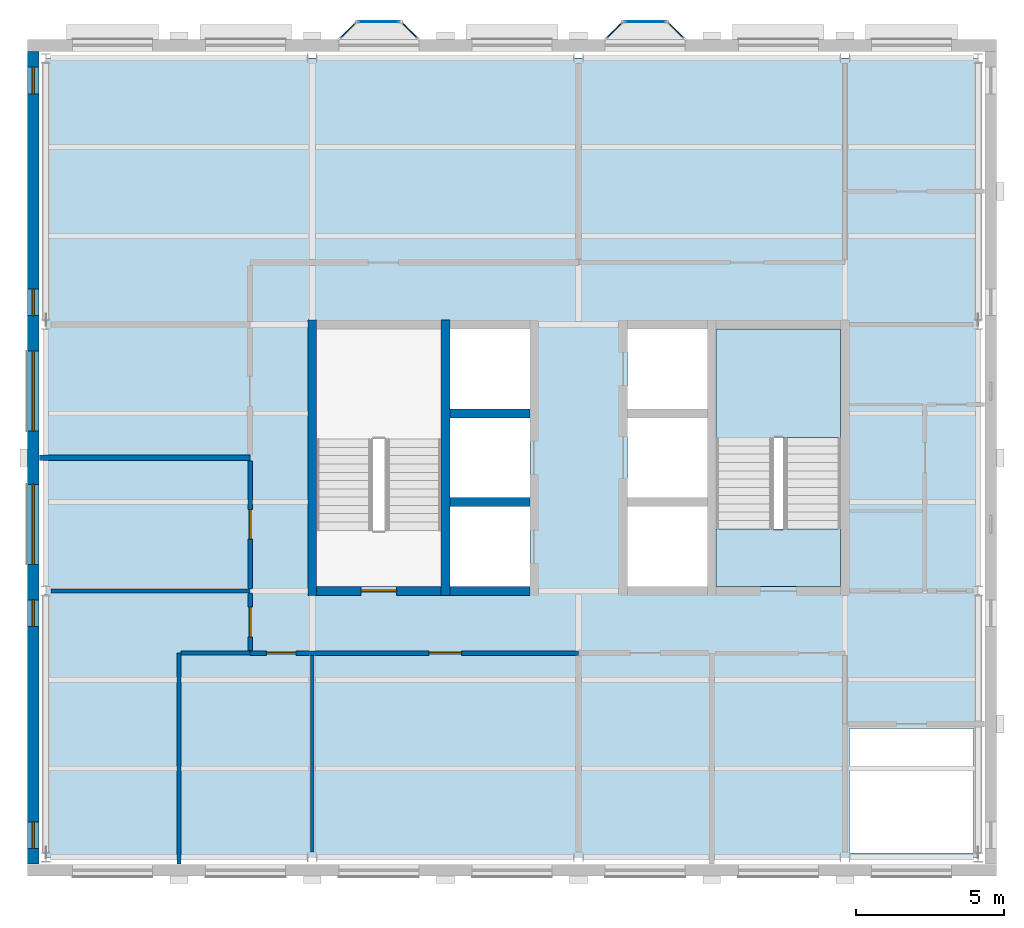
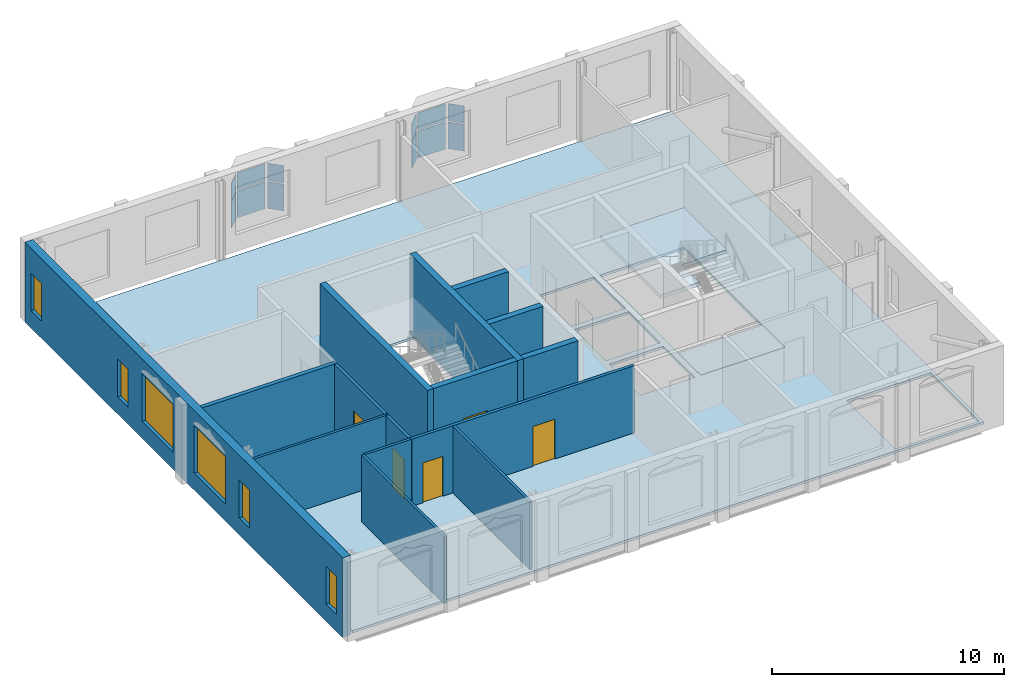
# One storey, part 3 of 9: 15 walls, 12 plates, 6 windows, 5 doors, 3 slabs, 11 openings, 7 elements without a shape of their own.
"""IFC4 building model written with IfcOpenShell, lengths in metres."""

from ifc_helpers import new_model, si_unit, direction, frame, frame_2d, origin, origin_2d, place, context, subcontext, project, spatial, polyline, rectangle, outline, extrude, material, layer, layer_set, type_object, element, fill, aggregate, save


model = new_model("IFC4")

# Units and contexts
model_context = context("Model", 3, precision=1e-05, world=origin(), true_north=direction((0.0, 1.0)))
body_context = subcontext(model_context, "Body", "Model", "MODEL_VIEW")
ifc_project = project(units=[si_unit("LENGTHUNIT", "METRE"), si_unit("AREAUNIT", "SQUARE_METRE"), si_unit("VOLUMEUNIT", "CUBIC_METRE"), si_unit("PLANEANGLEUNIT", "RADIAN"), si_unit("MASSUNIT", "GRAM", prefix="KILO")], contexts=[model_context])

# Site, building, storey
site_placement = place(None, origin())
site = spatial("IfcSite", under=ifc_project, at=site_placement, CompositionType="ELEMENT")
building_placement = place(site_placement, origin())
building = spatial("IfcBuilding", under=site, at=building_placement, Name="Hortulan Conservatory and Botanical Research Centre", CompositionType="ELEMENT")
storey_placement = place(building_placement, frame((0.0, 0.0, 44.39990234375)))
storey = spatial("IfcBuildingStorey", under=building, at=storey_placement, Name="L10", CompositionType="ELEMENT", Elevation=44.39990234375)

# Slab
ifc_material_1 = material(Name="Concrete N32 (32 MPa, AS 3600)", Category="concrete")
ifc_layer_1 = layer(ifc_material_1, 0.1298828125)
ifc_layer_set_1 = layer_set([ifc_layer_1], Name="Composite Floor Slab 130")
slab_type_1 = type_object("IfcSlabType", Name="Composite Floor Slab 130", PredefinedType="FLOOR", material=ifc_layer_set_1)
slab_1_placement = place(storey_placement, frame((0.0, 0.0, -0.1298828125)))
element("IfcSlab", 1, at=slab_1_placement, inside=storey, type_object=slab_type_1, Name="Floor slab", PredefinedType="FLOOR", context=body_context, shape_type="SweptSolid", body=[
    extrude(outline(polyline([(0.0, 0.0), (31.5, 0.0), (31.5, 27.0), (0.0, 27.0), (0.0, 0.0)]), holes=[polyline([(27.14990234375, 4.35009765625), (27.14990234375, 0.14990234375), (31.35009765625, 0.14990234375), (31.35009765625, 4.35009765625), (27.14990234375, 4.35009765625)]), polyline([(13.64990234375, 11.85009765625), (13.64990234375, 9.14990234375), (16.35009765625, 9.14990234375), (16.35009765625, 11.85009765625), (13.64990234375, 11.85009765625)]), polyline([(19.64990234375, 11.85009765625), (19.64990234375, 9.14990234375), (22.35009765625, 9.14990234375), (22.35009765625, 11.85009765625), (19.64990234375, 11.85009765625)]), polyline([(9.14990234375, 17.85009765625), (9.14990234375, 9.14990234375), (13.35009765625, 9.14990234375), (13.35009765625, 17.85009765625), (9.14990234375, 17.85009765625)]), polyline([(13.64990234375, 14.85009765625), (13.64990234375, 12.14990234375), (16.35009765625, 12.14990234375), (16.35009765625, 14.85009765625), (13.64990234375, 14.85009765625)]), polyline([(19.64990234375, 14.85009765625), (19.64990234375, 12.14990234375), (22.35009765625, 12.14990234375), (22.35009765625, 14.85009765625), (19.64990234375, 14.85009765625)]), polyline([(22.64990234375, 17.85009765625), (22.64990234375, 9.14990234375), (26.85009765625, 9.14990234375), (26.85009765625, 17.85009765625), (22.64990234375, 17.85009765625)]), polyline([(16.35009765625, 17.85009765625), (13.64990234375, 17.85009765625), (13.64990234375, 15.14990234375), (16.35009765625, 15.14990234375), (16.35009765625, 17.85009765625)]), polyline([(22.35009765625, 17.85009765625), (19.64990234375, 17.85009765625), (19.64990234375, 15.14990234375), (22.35009765625, 15.14990234375), (22.35009765625, 17.85009765625)])]), origin(), (0.0, 0.0, 1.0), 0.1298828125),
])

# Curtain wall, plates
ifc_material_2 = material(Name="Bronze-finished aluminium", Category="aluminium")
ifc_layer_2 = layer(ifc_material_2, 0.10009765625)
ifc_layer_set_2 = layer_set([ifc_layer_2], Name="Oriel Curtain Wall 1350 module")
curtain_wall_type = type_object("IfcCurtainWallType", Name="Oriel Curtain Wall 1350 module", PredefinedType="NOTDEFINED", material=ifc_layer_set_2)
curtain_wall_1_placement = place(storey_placement, origin())
curtain_wall_1 = element("IfcCurtainWall", 2, at=curtain_wall_1_placement, inside=storey, type_object=curtain_wall_type, Name="Oriel glazing", PredefinedType="NOTDEFINED")
ifc_material_3 = material(Name="Low-e laminated glass", Category="glass")
ifc_layer_3 = layer(ifc_material_3, 0.028076171875)
ifc_layer_set_3 = layer_set([ifc_layer_3], Name="Laminated Glass Panel 28")
plate_type = type_object("IfcPlateType", Name="Laminated Glass Panel 28", PredefinedType="CURTAIN_PANEL", material=ifc_layer_set_3)
plate_1_placement = place(storey_placement, frame((10.199951171875, 27.93603515625, 0.9599609375), z_axis=(0.0, 0.0, 1.0), x_axis=(0.707106781187, 0.707106781187, 0.0)))
plate_1 = element("IfcPlate", 3, at=plate_1_placement, type_object=plate_type, Name="CW2 panel 1.1", PredefinedType="CURTAIN_PANEL", context=body_context, shape_type="SweptSolid", body=[
    extrude(rectangle(XDim=0.728515625, YDim=0.028076171875, at=origin_2d()), origin(), (0.0, 0.0, 1.0), 1.409912109375),
])
plate_2_placement = place(storey_placement, frame((10.199951171875, 27.93603515625, 2.43017578125), z_axis=(0.0, 0.0, 1.0), x_axis=(0.707106781187, 0.707106781187, 0.0)))
plate_2 = element("IfcPlate", 4, at=plate_2_placement, type_object=plate_type, Name="CW2 panel 1.2", PredefinedType="CURTAIN_PANEL", context=body_context, shape_type="SweptSolid", body=[
    extrude(rectangle(XDim=0.728515625, YDim=0.028076171875, at=origin_2d()), origin(), (0.0, 0.0, 1.0), 0.909912109375),
])
aggregate(curtain_wall_1, [plate_1, plate_2])

curtain_wall_2_placement = place(storey_placement, origin())
curtain_wall_2 = element("IfcCurtainWall", 5, at=curtain_wall_2_placement, inside=storey, type_object=curtain_wall_type, Name="Oriel glazing", PredefinedType="NOTDEFINED")
plate_3_placement = place(storey_placement, frame((11.25, 28.236083984375, 0.9599609375), z_axis=(0.0, 0.0, 1.0), x_axis=(1.0, 0.0, 0.0)))
plate_3 = element("IfcPlate", 6, at=plate_3_placement, type_object=plate_type, Name="CW2 panel 1.1", PredefinedType="CURTAIN_PANEL", context=body_context, shape_type="SweptSolid", body=[
    extrude(rectangle(XDim=1.3798828125, YDim=0.028076171875, at=origin_2d()), origin(), (0.0, 0.0, 1.0), 1.409912109375),
])
plate_4_placement = place(storey_placement, frame((11.25, 28.236083984375, 2.43017578125), z_axis=(0.0, 0.0, 1.0), x_axis=(1.0, 0.0, 0.0)))
plate_4 = element("IfcPlate", 7, at=plate_4_placement, type_object=plate_type, Name="CW2 panel 1.2", PredefinedType="CURTAIN_PANEL", context=body_context, shape_type="SweptSolid", body=[
    extrude(rectangle(XDim=1.3798828125, YDim=0.028076171875, at=origin_2d()), origin(), (0.0, 0.0, 1.0), 0.909912109375),
])
aggregate(curtain_wall_2, [plate_3, plate_4])

curtain_wall_3_placement = place(storey_placement, origin())
curtain_wall_3 = element("IfcCurtainWall", 8, at=curtain_wall_3_placement, inside=storey, type_object=curtain_wall_type, Name="Oriel glazing", PredefinedType="NOTDEFINED")
plate_5_placement = place(storey_placement, frame((12.300048828125, 27.93603515625, 0.9599609375), z_axis=(0.0, 0.0, 1.0), x_axis=(0.707106781187, -0.707106781187, 0.0)))
plate_5 = element("IfcPlate", 9, at=plate_5_placement, type_object=plate_type, Name="CW2 panel 1.1", PredefinedType="CURTAIN_PANEL", context=body_context, shape_type="SweptSolid", body=[
    extrude(rectangle(XDim=0.728515625, YDim=0.028076171875, at=origin_2d()), origin(), (0.0, 0.0, 1.0), 1.409912109375),
])
plate_6_placement = place(storey_placement, frame((12.300048828125, 27.93603515625, 2.43017578125), z_axis=(0.0, 0.0, 1.0), x_axis=(0.707106781187, -0.707106781187, 0.0)))
plate_6 = element("IfcPlate", 10, at=plate_6_placement, type_object=plate_type, Name="CW2 panel 1.2", PredefinedType="CURTAIN_PANEL", context=body_context, shape_type="SweptSolid", body=[
    extrude(rectangle(XDim=0.728515625, YDim=0.028076171875, at=origin_2d()), origin(), (0.0, 0.0, 1.0), 0.909912109375),
])
aggregate(curtain_wall_3, [plate_5, plate_6])

curtain_wall_4_placement = place(storey_placement, origin())
curtain_wall_4 = element("IfcCurtainWall", 11, at=curtain_wall_4_placement, inside=storey, type_object=curtain_wall_type, Name="Oriel glazing", PredefinedType="NOTDEFINED")
plate_7_placement = place(storey_placement, frame((19.199951171875, 27.93603515625, 0.9599609375), z_axis=(0.0, 0.0, 1.0), x_axis=(0.707106781187, 0.707106781187, 0.0)))
plate_7 = element("IfcPlate", 12, at=plate_7_placement, type_object=plate_type, Name="CW2 panel 1.1", PredefinedType="CURTAIN_PANEL", context=body_context, shape_type="SweptSolid", body=[
    extrude(rectangle(XDim=0.728515625, YDim=0.028076171875, at=origin_2d()), origin(), (0.0, 0.0, 1.0), 1.409912109375),
])
plate_8_placement = place(storey_placement, frame((19.199951171875, 27.93603515625, 2.43017578125), z_axis=(0.0, 0.0, 1.0), x_axis=(0.707106781187, 0.707106781187, 0.0)))
plate_8 = element("IfcPlate", 13, at=plate_8_placement, type_object=plate_type, Name="CW2 panel 1.2", PredefinedType="CURTAIN_PANEL", context=body_context, shape_type="SweptSolid", body=[
    extrude(rectangle(XDim=0.728515625, YDim=0.028076171875, at=origin_2d()), origin(), (0.0, 0.0, 1.0), 0.909912109375),
])
aggregate(curtain_wall_4, [plate_7, plate_8])

curtain_wall_5_placement = place(storey_placement, origin())
curtain_wall_5 = element("IfcCurtainWall", 14, at=curtain_wall_5_placement, inside=storey, type_object=curtain_wall_type, Name="Oriel glazing", PredefinedType="NOTDEFINED")
plate_9_placement = place(storey_placement, frame((20.25, 28.236083984375, 0.9599609375), z_axis=(0.0, 0.0, 1.0), x_axis=(1.0, 0.0, 0.0)))
plate_9 = element("IfcPlate", 15, at=plate_9_placement, type_object=plate_type, Name="CW2 panel 1.1", PredefinedType="CURTAIN_PANEL", context=body_context, shape_type="SweptSolid", body=[
    extrude(rectangle(XDim=1.3798828125, YDim=0.028076171875, at=origin_2d()), origin(), (0.0, 0.0, 1.0), 1.409912109375),
])
plate_10_placement = place(storey_placement, frame((20.25, 28.236083984375, 2.43017578125), z_axis=(0.0, 0.0, 1.0), x_axis=(1.0, 0.0, 0.0)))
plate_10 = element("IfcPlate", 16, at=plate_10_placement, type_object=plate_type, Name="CW2 panel 1.2", PredefinedType="CURTAIN_PANEL", context=body_context, shape_type="SweptSolid", body=[
    extrude(rectangle(XDim=1.3798828125, YDim=0.028076171875, at=origin_2d()), origin(), (0.0, 0.0, 1.0), 0.909912109375),
])
aggregate(curtain_wall_5, [plate_9, plate_10])

curtain_wall_6_placement = place(storey_placement, origin())
curtain_wall_6 = element("IfcCurtainWall", 17, at=curtain_wall_6_placement, inside=storey, type_object=curtain_wall_type, Name="Oriel glazing", PredefinedType="NOTDEFINED")
plate_11_placement = place(storey_placement, frame((21.300048828125, 27.93603515625, 0.9599609375), z_axis=(0.0, 0.0, 1.0), x_axis=(0.707106781187, -0.707106781187, 0.0)))
plate_11 = element("IfcPlate", 18, at=plate_11_placement, type_object=plate_type, Name="CW2 panel 1.1", PredefinedType="CURTAIN_PANEL", context=body_context, shape_type="SweptSolid", body=[
    extrude(rectangle(XDim=0.728515625, YDim=0.028076171875, at=origin_2d()), origin(), (0.0, 0.0, 1.0), 1.409912109375),
])
plate_12_placement = place(storey_placement, frame((21.300048828125, 27.93603515625, 2.43017578125), z_axis=(0.0, 0.0, 1.0), x_axis=(0.707106781187, -0.707106781187, 0.0)))
plate_12 = element("IfcPlate", 19, at=plate_12_placement, type_object=plate_type, Name="CW2 panel 1.2", PredefinedType="CURTAIN_PANEL", context=body_context, shape_type="SweptSolid", body=[
    extrude(rectangle(XDim=0.728515625, YDim=0.028076171875, at=origin_2d()), origin(), (0.0, 0.0, 1.0), 0.909912109375),
])
aggregate(curtain_wall_6, [plate_11, plate_12])

# Stair, slab
ifc_material_4 = material(Name="Concrete N40 (40 MPa, AS 3600)", Category="concrete")
stair_type = type_object("IfcStairType", Name="Concrete Escape Stair 1950", PredefinedType="HALF_TURN_STAIR", material=ifc_material_4)
stair_placement = place(storey_placement, origin())
stair = element("IfcStair", 20, at=stair_placement, inside=storey, type_object=stair_type, Name="Stair T2 L10", PredefinedType="HALF_TURN_STAIR")
ifc_layer_4 = layer(ifc_material_4, 0.199951171875)
ifc_layer_set_4 = layer_set([ifc_layer_4], Name="Stair Landing 200")
slab_type_2 = type_object("IfcSlabType", Name="Stair Landing 200", PredefinedType="LANDING", material=ifc_layer_set_4)
slab_2_placement = place(storey_placement, frame((0.0, 0.0, 1.900146484375)))
slab_2 = element("IfcSlab", 21, at=slab_2_placement, type_object=slab_type_2, Name="Stair T2 L10 half landing 1", PredefinedType="LANDING", context=body_context, shape_type="SweptSolid", body=[
    extrude(outline(polyline([(26.85009765625, 14.179443359375), (24.60009765625, 14.179443359375), (24.60009765625, 12.639892578125), (22.64990234375, 12.639892578125), (22.64990234375, 14.179443359375), (22.64990234375, 14.179931640625), (22.64990234375, 14.18994140625), (22.64990234375, 17.85009765625), (26.85009765625, 17.85009765625), (26.85009765625, 14.18994140625), (26.85009765625, 14.179931640625), (26.85009765625, 14.179443359375)])), origin(), (0.0, 0.0, 1.0), 0.199951171875),
])
aggregate(stair, [slab_2])

# Slab
slab_3_placement = place(storey_placement, frame((0.0, 0.0, -0.199951171875)))
element("IfcSlab", 22, at=slab_3_placement, inside=storey, type_object=slab_type_2, Name="Stair T2 floor landing L10", PredefinedType="LANDING", context=body_context, shape_type="SweptSolid", body=[
    extrude(outline(polyline([(26.85009765625, 9.14990234375), (22.64990234375, 9.14990234375), (22.64990234375, 11.10009765625), (26.85009765625, 11.10009765625), (26.85009765625, 9.14990234375)])), origin(), (0.0, 0.0, 1.0), 0.199951171875),
])

# Walls
ifc_material_5 = material(Name="Fire-rated plasterboard on steel studs", Category="steel")
ifc_layer_5 = layer(ifc_material_5, 0.199951171875)
ifc_layer_set_5 = layer_set([ifc_layer_5], Name="Compartment Partition 200")
wall_type_1 = type_object("IfcWallType", Name="Compartment Partition 200", PredefinedType="PARTITIONING", material=ifc_layer_set_5)
wall_1_placement = place(storey_placement, frame((-0.215087890625, 13.5, 0.0), z_axis=(0.0, 0.0, 1.0), x_axis=(1.0, 0.0, 0.0)))
element("IfcWall", 23, at=wall_1_placement, inside=storey, type_object=wall_type_1, Name="Store wall", PredefinedType="PARTITIONING", context=body_context, shape_type="SweptSolid", body=[
    extrude(rectangle(XDim=7.114990234375, YDim=0.199951171875, at=frame_2d((3.5576171875, 0.0))), origin(), (0.0, 0.0, 1.0), 3.5419921875),
])
ifc_layer_6 = layer(ifc_material_4, 0.300048828125)
ifc_layer_set_6 = layer_set([ifc_layer_6], Name="Core Wall 300 N40 FRL 240/120/120")
wall_type_2 = type_object("IfcWallType", Name="Core Wall 300 N40 FRL 240/120/120", PredefinedType="SHEAR", material=ifc_layer_set_6)
for number, where, z_axis, x_axis, name in (
    (24, (9.0, 8.85009765625, 0.0), (0.0, 0.0, 1.0), (0.0, 1.0, 0.0), "Reinforced concrete shaft wall"),
    (25, (13.5, 8.85009765625, 0.0), (0.0, 0.0, 1.0), (0.0, 1.0, 0.0), "Reinforced concrete shaft wall"),
):
    element("IfcWall", number, at=place(storey_placement, frame(where, z_axis=z_axis, x_axis=x_axis)), inside=storey, type_object=wall_type_2, Name=name, PredefinedType="SHEAR", context=body_context, shape_type="SweptSolid", body=[
        extrude(rectangle(XDim=9.2998046875, YDim=0.300048828125, at=frame_2d((4.64990234375, 0.0))), origin(), (0.0, 0.0, 1.0), 4.2001953125),
    ])

# Wall, opening, door
wall_2_placement = place(storey_placement, frame((9.14990234375, 9.0, 0.0), z_axis=(0.0, 0.0, 1.0), x_axis=(1.0, 0.0, 0.0)))
wall_2 = element("IfcWall", 26, at=wall_2_placement, inside=storey, type_object=wall_type_2, Name="Reinforced concrete shaft wall", PredefinedType="SHEAR", context=body_context, shape_type="SweptSolid", body=[
    extrude(rectangle(XDim=4.2001953125, YDim=0.300048828125, at=frame_2d((2.10009765625, 0.0))), origin(), (0.0, 0.0, 1.0), 4.2001953125),
])
opening_1_placement = place(wall_2_placement, frame((1.5, 0.0, 0.0)))
opening_1 = element("IfcOpeningElement", 27, at=opening_1_placement, cuts=wall_2, Name="Opening DT5", PredefinedType="OPENING", context=body_context, shape_type="SweptSolid", body=[
    extrude(rectangle(XDim=1.199951171875, YDim=2.10009765625, at=frame_2d((0.60009765625, 1.050048828125))), frame((0.0, 0.159912109375, 0.0), z_axis=(0.0, -1.0, 0.0), x_axis=(1.0, 0.0, 0.0)), (0.0, 0.0, 1.0), 0.320068359375),
])
ifc_material_6 = material(Name="Steel door leaf, insulated", Category="steel")
door_type_1 = type_object("IfcDoorType", Name="Stair Door 1200x2100 FRL -/120/30", OperationType="NOTDEFINED", PredefinedType="DOOR", material=ifc_material_6)
door_1_placement = place(opening_1_placement, origin())
door_1 = element("IfcDoor", 28, at=door_1_placement, inside=storey, type_object=door_type_1, Name="Door DT5 Exit Stair T1", OperationType="SINGLE_SWING_RIGHT", OverallHeight=2.10009765625, OverallWidth=1.199951171875, PredefinedType="DOOR", context=body_context, shape_type="SweptSolid", body=[
    extrude(rectangle(XDim=1.199951171875, YDim=2.10009765625, at=frame_2d((0.60009765625, 1.050048828125))), frame((0.0, 0.02490234375, 0.0), z_axis=(0.0, -1.0, 0.0), x_axis=(1.0, 0.0, 0.0)), (0.0, 0.0, 1.0), 0.050048828125),
])
fill(opening_1, door_1)

# Walls
for number, where, z_axis, x_axis, name in (
    (29, (13.64990234375, 9.0, 0.0), (0.0, 0.0, 1.0), (1.0, 0.0, 0.0), "Reinforced concrete shaft wall"),
    (30, (13.64990234375, 12.0, 0.0), (0.0, 0.0, 1.0), (1.0, 0.0, 0.0), "Reinforced concrete shaft wall"),
    (31, (13.64990234375, 15.0, 0.0), (0.0, 0.0, 1.0), (1.0, 0.0, 0.0), "Reinforced concrete shaft wall"),
):
    element("IfcWall", number, at=place(storey_placement, frame(where, z_axis=z_axis, x_axis=x_axis)), inside=storey, type_object=wall_type_2, Name=name, PredefinedType="SHEAR", context=body_context, shape_type="SweptSolid", body=[
        extrude(rectangle(XDim=2.7001953125, YDim=0.300048828125, at=frame_2d((1.35009765625, 0.0))), origin(), (0.0, 0.0, 1.0), 4.2001953125),
    ])

# Wall, opening, door
ifc_material_7 = material(Name="Plasterboard on steel studs", Category="steel")
ifc_layer_7 = layer(ifc_material_7, 0.14990234375)
ifc_layer_set_7 = layer_set([ifc_layer_7], Name="Corridor Partition 150")
wall_type_3 = type_object("IfcWallType", Name="Corridor Partition 150", PredefinedType="PARTITIONING", material=ifc_layer_set_7)
wall_3_placement = place(storey_placement, frame((6.89990234375, 6.985107421875, 0.0), z_axis=(0.0, 0.0, 1.0), x_axis=(0.0, 1.0, 0.0)))
wall_3 = element("IfcWall", 32, at=wall_3_placement, inside=storey, type_object=wall_type_3, Name="Corridor partition", PredefinedType="PARTITIONING", context=body_context, shape_type="SweptSolid", body=[
    extrude(rectangle(XDim=1.9423828125, YDim=0.14990234375, at=frame_2d((0.97119140625, 0.0))), origin(), (0.0, 0.0, 1.0), 3.5419921875),
])
opening_2_placement = place(wall_3_placement, frame((0.465087890625, 0.0, 0.0)))
opening_2 = element("IfcOpeningElement", 33, at=opening_2_placement, cuts=wall_3, Name="Opening DT1", PredefinedType="OPENING", context=body_context, shape_type="SweptSolid", body=[
    extrude(rectangle(XDim=1.0, YDim=2.10009765625, at=frame_2d((0.5, 1.050048828125))), frame((0.0, 0.0849609375, 0.0), z_axis=(0.0, -1.0, 0.0), x_axis=(1.0, 0.0, 0.0)), (0.0, 0.0, 1.0), 0.169921875),
])
ifc_material_8 = material(Name="Timber door leaf in timber frame", Category="wood")
door_type_2 = type_object("IfcDoorType", Name="Single Door 1000x2100", OperationType="NOTDEFINED", PredefinedType="DOOR", material=ifc_material_8)
door_2_placement = place(opening_2_placement, origin())
door_2 = element("IfcDoor", 34, at=door_2_placement, inside=storey, type_object=door_type_2, Name="Door DT1 Instrument Room", OperationType="SINGLE_SWING_LEFT", OverallHeight=2.10009765625, OverallWidth=1.0, PredefinedType="DOOR", context=body_context, shape_type="SweptSolid", body=[
    extrude(rectangle(XDim=1.0, YDim=2.10009765625, at=frame_2d((0.5, 1.050048828125))), frame((0.0, 0.02490234375, 0.0), z_axis=(0.0, -1.0, 0.0), x_axis=(1.0, 0.0, 0.0)), (0.0, 0.0, 1.0), 0.050048828125),
])
fill(opening_2, door_2)

wall_4_placement = place(storey_placement, frame((6.89990234375, 9.072509765625, 0.0), z_axis=(0.0, 0.0, 1.0), x_axis=(0.0, 1.0, 0.0)))
wall_4 = element("IfcWall", 35, at=wall_4_placement, inside=storey, type_object=wall_type_3, Name="Corridor partition", PredefinedType="PARTITIONING", context=body_context, shape_type="SweptSolid", body=[
    extrude(rectangle(XDim=4.3173828125, YDim=0.14990234375, at=frame_2d((2.15869140625, 0.0))), origin(), (0.0, 0.0, 1.0), 3.5419921875),
])
opening_3_placement = place(wall_4_placement, frame((1.677490234375, 0.0, 0.0)))
opening_3 = element("IfcOpeningElement", 36, at=opening_3_placement, cuts=wall_4, Name="Opening DT1", PredefinedType="OPENING", context=body_context, shape_type="SweptSolid", body=[
    extrude(rectangle(XDim=1.0, YDim=2.10009765625, at=frame_2d((0.5, 1.050048828125))), frame((0.0, 0.0849609375, 0.0), z_axis=(0.0, -1.0, 0.0), x_axis=(1.0, 0.0, 0.0)), (0.0, 0.0, 1.0), 0.169921875),
])
door_3_placement = place(opening_3_placement, origin())
door_3 = element("IfcDoor", 37, at=door_3_placement, inside=storey, type_object=door_type_2, Name="Door DT1 Autoclave and Wash-up Room", OperationType="SINGLE_SWING_RIGHT", OverallHeight=2.10009765625, OverallWidth=1.0, PredefinedType="DOOR", context=body_context, shape_type="SweptSolid", body=[
    extrude(rectangle(XDim=1.0, YDim=2.10009765625, at=frame_2d((0.5, 1.050048828125))), frame((0.0, 0.02490234375, 0.0), z_axis=(0.0, -1.0, 0.0), x_axis=(1.0, 0.0, 0.0)), (0.0, 0.0, 1.0), 0.050048828125),
])
fill(opening_3, door_3)

# Wall, openings, doors
wall_5_placement = place(storey_placement, frame((6.89990234375, 6.89990234375, 0.0), z_axis=(0.0, 0.0, 1.0), x_axis=(1.0, 0.0, 0.0)))
wall_5 = element("IfcWall", 38, at=wall_5_placement, inside=storey, type_object=wall_type_3, Name="Corridor partition", PredefinedType="PARTITIONING", context=body_context, shape_type="SweptSolid", body=[
    extrude(rectangle(XDim=11.10009765625, YDim=0.14990234375, at=frame_2d((5.550048828125, 0.0))), origin(), (0.0, 0.0, 1.0), 3.5419921875),
])
opening_4_placement = place(wall_5_placement, frame((0.550048828125, 0.0, 0.0)))
opening_4 = element("IfcOpeningElement", 39, at=opening_4_placement, cuts=wall_5, Name="Opening DT1", PredefinedType="OPENING", context=body_context, shape_type="SweptSolid", body=[
    extrude(rectangle(XDim=1.0, YDim=2.10009765625, at=frame_2d((0.5, 1.050048828125))), frame((0.0, 0.0849609375, 0.0), z_axis=(0.0, -1.0, 0.0), x_axis=(1.0, 0.0, 0.0)), (0.0, 0.0, 1.0), 0.169921875),
])
opening_5_placement = place(wall_5_placement, frame((6.050048828125, 0.0, 0.0)))
opening_5 = element("IfcOpeningElement", 40, at=opening_5_placement, cuts=wall_5, Name="Opening DT3", PredefinedType="OPENING", context=body_context, shape_type="SweptSolid", body=[
    extrude(rectangle(XDim=1.10009765625, YDim=2.10009765625, at=frame_2d((0.550048828125, 1.050048828125))), frame((0.0, 0.0849609375, 0.0), z_axis=(0.0, -1.0, 0.0), x_axis=(1.0, 0.0, 0.0)), (0.0, 0.0, 1.0), 0.169921875),
])
ifc_material_9 = material(Name="Timber door leaf with vision panel", Category="wood")
door_type_3 = type_object("IfcDoorType", Name="Laboratory Door 1100x2100", OperationType="NOTDEFINED", PredefinedType="DOOR", material=ifc_material_9)
door_4_placement = place(opening_5_placement, frame((1.10009765625, 0.0, 0.0), z_axis=(0.0, 0.0, 1.0), x_axis=(-1.0, 0.0, 0.0)))
door_4 = element("IfcDoor", 41, at=door_4_placement, inside=storey, type_object=door_type_3, Name="Door DT3 Growth Chamber Room", OperationType="SINGLE_SWING_RIGHT", OverallHeight=2.10009765625, OverallWidth=1.10009765625, PredefinedType="DOOR", context=body_context, shape_type="SweptSolid", body=[
    extrude(rectangle(XDim=1.10009765625, YDim=2.10009765625, at=frame_2d((0.550048828125, 1.050048828125))), frame((0.0, 0.02490234375, 0.0), z_axis=(0.0, -1.0, 0.0), x_axis=(1.0, 0.0, 0.0)), (0.0, 0.0, 1.0), 0.050048828125),
])
fill(opening_5, door_4)
door_5_placement = place(opening_4_placement, frame((1.0, 0.0, 0.0), z_axis=(0.0, 0.0, 1.0), x_axis=(-1.0, 0.0, 0.0)))
door_5 = element("IfcDoor", 42, at=door_5_placement, inside=storey, type_object=door_type_2, Name="Door DT1 Autoclave and Wash-up Room", OperationType="SINGLE_SWING_LEFT", OverallHeight=2.10009765625, OverallWidth=1.0, PredefinedType="DOOR", context=body_context, shape_type="SweptSolid", body=[
    extrude(rectangle(XDim=1.0, YDim=2.10009765625, at=frame_2d((0.5, 1.050048828125))), frame((0.0, 0.02490234375, 0.0), z_axis=(0.0, -1.0, 0.0), x_axis=(1.0, 0.0, 0.0)), (0.0, 0.0, 1.0), 0.050048828125),
])
fill(opening_4, door_5)

# Wall, openings, windows
ifc_material_10 = material(Name="Faience-faced brickwork masonry", Category="masonry")
ifc_layer_8 = layer(ifc_material_10, 0.39990234375)
ifc_layer_set_8 = layer_set([ifc_layer_8], Name="Faience-faced Masonry Cavity Wall 400")
wall_type_4 = type_object("IfcWallType", Name="Faience-faced Masonry Cavity Wall 400", PredefinedType="STANDARD", material=ifc_layer_set_8)
wall_6_placement = place(storey_placement, frame((-0.425048828125, -0.22509765625, 0.0), z_axis=(0.0, 0.0, 1.0), x_axis=(0.0, 1.0, 0.0)))
wall_6 = element("IfcWall", 43, at=wall_6_placement, inside=storey, type_object=wall_type_4, Name="E-EW-TW-L10-W2", PredefinedType="STANDARD", context=body_context, shape_type="SweptSolid", body=[
    extrude(rectangle(XDim=27.4501953125, YDim=0.39990234375, at=frame_2d((13.72509765625, 0.0))), origin(), (0.0, 0.0, 1.0), 4.2001953125),
])
opening_6_placement = place(wall_6_placement, frame((0.52490234375, 0.0, 0.89990234375)))
opening_6 = element("IfcOpeningElement", 44, at=opening_6_placement, cuts=wall_6, Name="Opening W5", PredefinedType="OPENING", context=body_context, shape_type="SweptSolid", body=[
    extrude(rectangle(XDim=0.89990234375, YDim=2.0, at=frame_2d((0.449951171875, 1.0))), frame((0.0, 0.2099609375, 0.0), z_axis=(0.0, -1.0, 0.0), x_axis=(1.0, 0.0, 0.0)), (0.0, 0.0, 1.0), 0.419921875),
])
opening_7_placement = place(wall_6_placement, frame((8.02490234375, 0.0, 0.89990234375)))
opening_7 = element("IfcOpeningElement", 45, at=opening_7_placement, cuts=wall_6, Name="Opening W5", PredefinedType="OPENING", context=body_context, shape_type="SweptSolid", body=[
    extrude(rectangle(XDim=0.89990234375, YDim=2.0, at=frame_2d((0.449951171875, 1.0))), frame((0.0, 0.2099609375, 0.0), z_axis=(0.0, -1.0, 0.0), x_axis=(1.0, 0.0, 0.0)), (0.0, 0.0, 1.0), 0.419921875),
])
opening_8_placement = place(wall_6_placement, frame((10.125, 0.0, 0.89990234375)))
opening_8 = element("IfcOpeningElement", 46, at=opening_8_placement, cuts=wall_6, Name="Opening W4", PredefinedType="OPENING", context=body_context, shape_type="SweptSolid", body=[
    extrude(rectangle(XDim=2.699951171875, YDim=2.5, at=frame_2d((1.35009765625, 1.25))), frame((0.0, 0.2099609375, 0.0), z_axis=(0.0, -1.0, 0.0), x_axis=(1.0, 0.0, 0.0)), (0.0, 0.0, 1.0), 0.419921875),
])
opening_9_placement = place(wall_6_placement, frame((14.625, 0.0, 0.89990234375)))
opening_9 = element("IfcOpeningElement", 47, at=opening_9_placement, cuts=wall_6, Name="Opening W4", PredefinedType="OPENING", context=body_context, shape_type="SweptSolid", body=[
    extrude(rectangle(XDim=2.699951171875, YDim=2.5, at=frame_2d((1.35009765625, 1.25))), frame((0.0, 0.2099609375, 0.0), z_axis=(0.0, -1.0, 0.0), x_axis=(1.0, 0.0, 0.0)), (0.0, 0.0, 1.0), 0.419921875),
])
opening_10_placement = place(wall_6_placement, frame((18.52490234375, 0.0, 0.89990234375)))
opening_10 = element("IfcOpeningElement", 48, at=opening_10_placement, cuts=wall_6, Name="Opening W5", PredefinedType="OPENING", context=body_context, shape_type="SweptSolid", body=[
    extrude(rectangle(XDim=0.89990234375, YDim=2.0, at=frame_2d((0.449951171875, 1.0))), frame((0.0, 0.2099609375, 0.0), z_axis=(0.0, -1.0, 0.0), x_axis=(1.0, 0.0, 0.0)), (0.0, 0.0, 1.0), 0.419921875),
])
opening_11_placement = place(wall_6_placement, frame((26.02490234375, 0.0, 0.89990234375)))
opening_11 = element("IfcOpeningElement", 49, at=opening_11_placement, cuts=wall_6, Name="Opening W5", PredefinedType="OPENING", context=body_context, shape_type="SweptSolid", body=[
    extrude(rectangle(XDim=0.89990234375, YDim=2.0, at=frame_2d((0.449951171875, 1.0))), frame((0.0, 0.2099609375, 0.0), z_axis=(0.0, -1.0, 0.0), x_axis=(1.0, 0.0, 0.0)), (0.0, 0.0, 1.0), 0.419921875),
])
ifc_material_11 = material(Name="Bronze-finished aluminium frame with low-e laminated double glazing", Category="aluminium")
window_type_1 = type_object("IfcWindowType", Name="Faience Pier Window 900x2000", PartitioningType="SINGLE_PANEL", PredefinedType="WINDOW", material=ifc_material_11)
window_1_placement = place(opening_6_placement, origin())
window_1 = element("IfcWindow", 50, at=window_1_placement, inside=storey, type_object=window_type_1, Name="Faience Pier window", OverallHeight=2.0, OverallWidth=0.89990234375, PartitioningType="SINGLE_PANEL", PredefinedType="WINDOW", context=body_context, shape_type="SweptSolid", body=[
    extrude(rectangle(XDim=0.89990234375, YDim=2.0, at=frame_2d((0.449951171875, 1.0))), frame((0.0, 0.030029296875, 0.0), z_axis=(0.0, -1.0, 0.0), x_axis=(1.0, 0.0, 0.0)), (0.0, 0.0, 1.0), 0.06005859375),
])
fill(opening_6, window_1)
window_2_placement = place(opening_7_placement, origin())
window_2 = element("IfcWindow", 51, at=window_2_placement, inside=storey, type_object=window_type_1, Name="Faience Pier window", OverallHeight=2.0, OverallWidth=0.89990234375, PartitioningType="SINGLE_PANEL", PredefinedType="WINDOW", context=body_context, shape_type="SweptSolid", body=[
    extrude(rectangle(XDim=0.89990234375, YDim=2.0, at=frame_2d((0.449951171875, 1.0))), frame((0.0, 0.030029296875, 0.0), z_axis=(0.0, -1.0, 0.0), x_axis=(1.0, 0.0, 0.0)), (0.0, 0.0, 1.0), 0.06005859375),
])
fill(opening_7, window_2)
window_3_placement = place(opening_10_placement, origin())
window_3 = element("IfcWindow", 52, at=window_3_placement, inside=storey, type_object=window_type_1, Name="Faience Pier window", OverallHeight=2.0, OverallWidth=0.89990234375, PartitioningType="SINGLE_PANEL", PredefinedType="WINDOW", context=body_context, shape_type="SweptSolid", body=[
    extrude(rectangle(XDim=0.89990234375, YDim=2.0, at=frame_2d((0.449951171875, 1.0))), frame((0.0, 0.030029296875, 0.0), z_axis=(0.0, -1.0, 0.0), x_axis=(1.0, 0.0, 0.0)), (0.0, 0.0, 1.0), 0.06005859375),
])
fill(opening_10, window_3)
window_4_placement = place(opening_11_placement, origin())
window_4 = element("IfcWindow", 53, at=window_4_placement, inside=storey, type_object=window_type_1, Name="Faience Pier window", OverallHeight=2.0, OverallWidth=0.89990234375, PartitioningType="SINGLE_PANEL", PredefinedType="WINDOW", context=body_context, shape_type="SweptSolid", body=[
    extrude(rectangle(XDim=0.89990234375, YDim=2.0, at=frame_2d((0.449951171875, 1.0))), frame((0.0, 0.030029296875, 0.0), z_axis=(0.0, -1.0, 0.0), x_axis=(1.0, 0.0, 0.0)), (0.0, 0.0, 1.0), 0.06005859375),
])
fill(opening_11, window_4)
window_type_2 = type_object("IfcWindowType", Name="Faience Window 2700x2500", PartitioningType="SINGLE_PANEL", PredefinedType="WINDOW", material=ifc_material_11)
window_5_placement = place(opening_8_placement, origin())
window_5 = element("IfcWindow", 54, at=window_5_placement, inside=storey, type_object=window_type_2, Name="Faience window", OverallHeight=2.5, OverallWidth=2.699951171875, PartitioningType="SINGLE_PANEL", PredefinedType="WINDOW", context=body_context, shape_type="SweptSolid", body=[
    extrude(rectangle(XDim=2.699951171875, YDim=2.5, at=frame_2d((1.35009765625, 1.25))), frame((0.0, 0.030029296875, 0.0), z_axis=(0.0, -1.0, 0.0), x_axis=(1.0, 0.0, 0.0)), (0.0, 0.0, 1.0), 0.06005859375),
])
fill(opening_8, window_5)
window_6_placement = place(opening_9_placement, origin())
window_6 = element("IfcWindow", 55, at=window_6_placement, inside=storey, type_object=window_type_2, Name="Faience window", OverallHeight=2.5, OverallWidth=2.699951171875, PartitioningType="SINGLE_PANEL", PredefinedType="WINDOW", context=body_context, shape_type="SweptSolid", body=[
    extrude(rectangle(XDim=2.699951171875, YDim=2.5, at=frame_2d((1.35009765625, 1.25))), frame((0.0, 0.030029296875, 0.0), z_axis=(0.0, -1.0, 0.0), x_axis=(1.0, 0.0, 0.0)), (0.0, 0.0, 1.0), 0.06005859375),
])
fill(opening_9, window_6)

# Walls
ifc_layer_9 = layer(ifc_material_7, 0.125)
ifc_layer_set_9 = layer_set([ifc_layer_9], Name="Partition 125")
wall_type_5 = type_object("IfcWallType", Name="Partition 125", PredefinedType="PARTITIONING", material=ifc_layer_set_9)
wall_7_placement = place(storey_placement, frame((4.5, -0.22607421875, 0.0), z_axis=(0.0, 0.0, 1.0), x_axis=(0.0, 1.0, 0.0)))
element("IfcWall", 56, at=wall_7_placement, inside=storey, type_object=wall_type_5, Name="Partition", PredefinedType="PARTITIONING", context=body_context, shape_type="SweptSolid", body=[
    extrude(rectangle(XDim=7.1259765625, YDim=0.125, at=frame_2d((3.56298828125, 0.0))), origin(), (0.0, 0.0, 1.0), 3.5419921875),
])
wall_8_placement = place(storey_placement, frame((9.0, 0.17041015625, 0.0), z_axis=(0.0, 0.0, 1.0), x_axis=(0.0, 1.0, 0.0)))
element("IfcWall", 57, at=wall_8_placement, inside=storey, type_object=wall_type_5, Name="Partition", PredefinedType="PARTITIONING", context=body_context, shape_type="SweptSolid", body=[
    extrude(rectangle(XDim=6.64453125, YDim=0.125, at=frame_2d((3.322265625, 0.0))), origin(), (0.0, 0.0, 1.0), 3.5419921875),
])
wall_9_placement = place(storey_placement, frame((4.572509765625, 6.89990234375, 0.0), z_axis=(0.0, 0.0, 1.0), x_axis=(1.0, 0.0, 0.0)))
element("IfcWall", 58, at=wall_9_placement, inside=storey, type_object=wall_type_5, Name="Partition", PredefinedType="PARTITIONING", context=body_context, shape_type="SweptSolid", body=[
    extrude(rectangle(XDim=2.3173828125, YDim=0.125, at=frame_2d((1.15869140625, 0.0))), origin(), (0.0, 0.0, 1.0), 3.5419921875),
])
wall_10_placement = place(storey_placement, frame((0.16455078125, 9.0, 0.0), z_axis=(0.0, 0.0, 1.0), x_axis=(1.0, 0.0, 0.0)))
element("IfcWall", 59, at=wall_10_placement, inside=storey, type_object=wall_type_5, Name="Partition", PredefinedType="PARTITIONING", context=body_context, shape_type="SweptSolid", body=[
    extrude(rectangle(XDim=6.7353515625, YDim=0.125, at=frame_2d((3.36767578125, 0.0))), origin(), (0.0, 0.0, 1.0), 3.5419921875),
])

save(model, "model.ifc")
